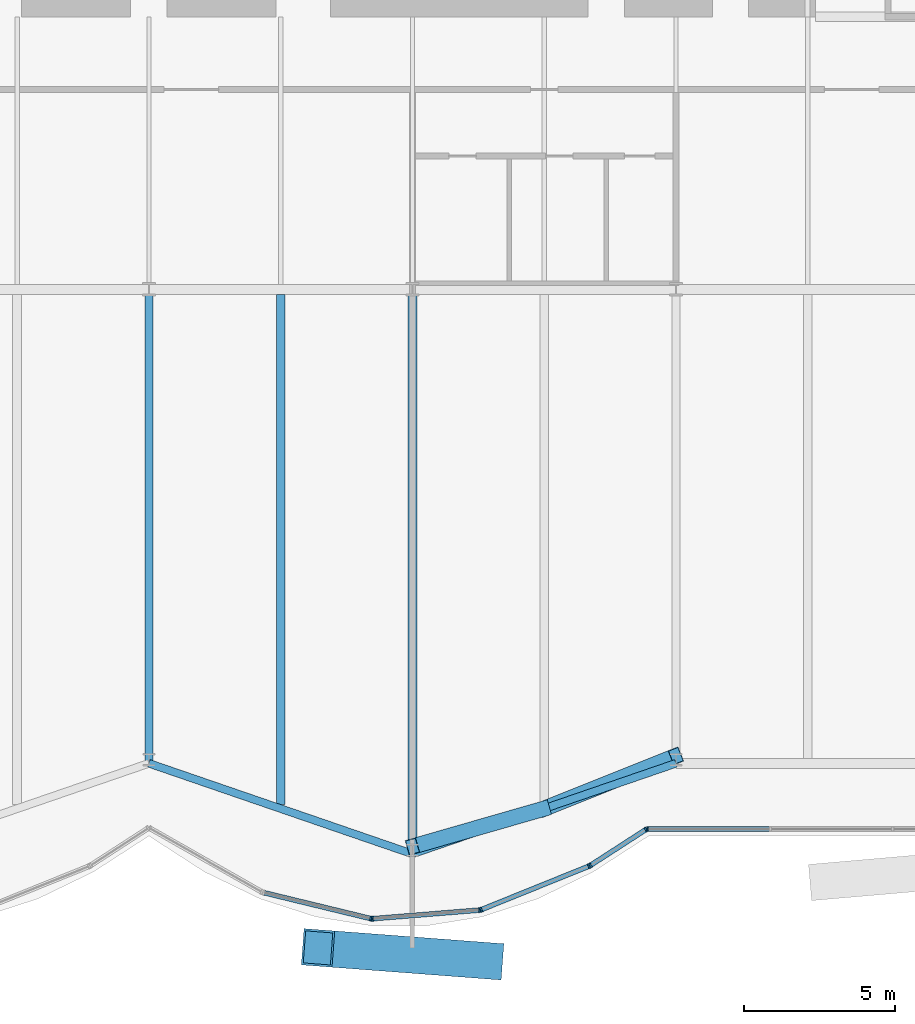
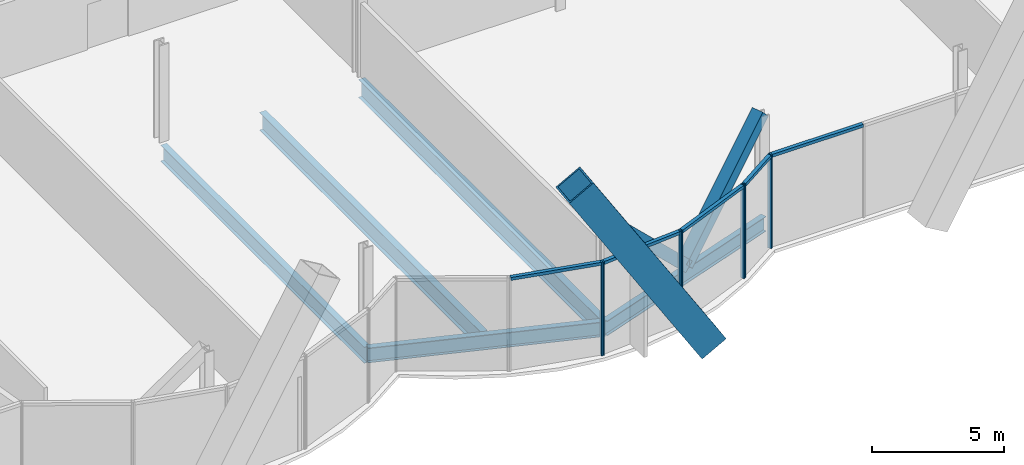
# One storey, part 8 of 22: 16 members, 5 beams, 2 elements without a shape of their own.
"""IFC4 building model written with IfcOpenShell, lengths in metres."""

from ifc_helpers import new_model, si_unit, direction, frame, origin, origin_2d, place, context, subcontext, project, spatial, rectangle, hollow_rectangle, i_section, extrude, material, material_profile, profile_set, type_object, element, aggregate, save


model = new_model("IFC4")

# Units and contexts
model_context = context("Model", 3, precision=1e-05, world=origin(), true_north=direction((0.0, 1.0)))
body_context = subcontext(model_context, "Body", "Model", "MODEL_VIEW")
ifc_project = project(units=[si_unit("LENGTHUNIT", "METRE"), si_unit("AREAUNIT", "SQUARE_METRE"), si_unit("VOLUMEUNIT", "CUBIC_METRE"), si_unit("PLANEANGLEUNIT", "RADIAN"), si_unit("MASSUNIT", "GRAM", prefix="KILO")], contexts=[model_context])

# Site, building, storey
site_placement = place(None, origin())
site = spatial("IfcSite", under=ifc_project, at=site_placement, CompositionType="ELEMENT")
building_placement = place(site_placement, origin())
building = spatial("IfcBuilding", under=site, at=building_placement, Name="Bicima Exchange Tower", CompositionType="ELEMENT")
storey_placement = place(building_placement, frame((0.0, 0.0, 71.0)))
storey = spatial("IfcBuildingStorey", under=building, at=storey_placement, Name="L14", CompositionType="ELEMENT", Elevation=71.0)

# Member
ifc_material_1 = material(Name="Steel ASTM A572 Gr 50", Category="steel")
ifc_material_profile_1 = material_profile(ifc_material_1, hollow_rectangle(XDim=1.199951171875, YDim=1.199951171875, WallThickness=0.070068359375, at=origin_2d()))
ifc_profile_set_1 = profile_set([ifc_material_profile_1], Name="Steel ASTM A572 Gr 50")
member_type_1 = type_object("IfcMemberType", Name="Exo mega brace BOX 1200x1200x70", PredefinedType="BRACE", material=ifc_profile_set_1)
member_1_placement = place(storey_placement, frame((11.166748046875, -44.164794921875, 0.14990234375), z_axis=(-0.529937371466, 0.040087085817, 0.847088783939), x_axis=(-0.075429447935, -0.997151141194, 0.0)))
element("IfcMember", 1, at=member_1_placement, inside=storey, type_object=member_type_1, Name="Exo mega brace front", PredefinedType="BRACE", context=body_context, shape_type="SweptSolid", body=[
    extrude(hollow_rectangle(XDim=1.199951171875, YDim=1.199951171875, WallThickness=0.070068359375, at=origin_2d()), origin(), (0.0, 0.0, 1.0), 10.5361328125),
])

# Beams
ifc_material_2 = material(Name="Steel ASTM A992 Gr 50", Category="steel")
ifc_material_profile_2 = material_profile(ifc_material_2, i_section(OverallWidth=0.2666015625, OverallDepth=0.75439453125, WebThickness=0.01318359375, FlangeThickness=0.01708984375, at=origin_2d()))
ifc_profile_set_2 = profile_set([ifc_material_profile_2], Name="Steel ASTM A992 Gr 50")
beam_type_1 = type_object("IfcBeamType", Name="Floor beam W30x99", PredefinedType="JOIST", material=ifc_profile_set_2)
beam_1_placement = place(storey_placement, frame((0.0, -22.16259765625, -0.527099609375), z_axis=(0.0, -1.0, 0.0), x_axis=(1.0, 0.0, 0.0)))
element("IfcBeam", 2, at=beam_1_placement, inside=storey, type_object=beam_type_1, Name="Floor beam", PredefinedType="JOIST", context=body_context, shape_type="SweptSolid", body=[
    extrude(i_section(OverallWidth=0.2666015625, OverallDepth=0.75439453125, WebThickness=0.01318359375, FlangeThickness=0.01708984375, at=origin_2d()), origin(), (0.0, 0.0, 1.0), 15.4853515625),
])
ifc_material_profile_3 = material_profile(ifc_material_2, i_section(OverallWidth=0.2919921875, OverallDepth=0.835693359375, WebThickness=0.013916015625, FlangeThickness=0.018798828125, at=origin_2d()))
ifc_profile_set_3 = profile_set([ifc_material_profile_3], Name="Steel ASTM A992 Gr 50")
beam_type_2 = type_object("IfcBeamType", Name="Floor beam W33x118", PredefinedType="JOIST", material=ifc_profile_set_3)
beam_2_placement = place(storey_placement, frame((4.35009765625, -22.16259765625, -0.56787109375), z_axis=(0.0, -1.0, 0.0), x_axis=(1.0, 0.0, 0.0)))
element("IfcBeam", 3, at=beam_2_placement, inside=storey, type_object=beam_type_2, Name="Floor beam", PredefinedType="JOIST", context=body_context, shape_type="SweptSolid", body=[
    extrude(i_section(OverallWidth=0.2919921875, OverallDepth=0.835693359375, WebThickness=0.013916015625, FlangeThickness=0.018798828125, at=origin_2d()), origin(), (0.0, 0.0, 1.0), 16.84521484375),
])
beam_3_placement = place(storey_placement, frame((8.699951171875, -22.16259765625, -0.56787109375), z_axis=(0.0, -1.0, 0.0), x_axis=(1.0, 0.0, 0.0)))
element("IfcBeam", 4, at=beam_3_placement, inside=storey, type_object=beam_type_2, Name="Floor beam", PredefinedType="JOIST", context=body_context, shape_type="SweptSolid", body=[
    extrude(i_section(OverallWidth=0.2919921875, OverallDepth=0.835693359375, WebThickness=0.013916015625, FlangeThickness=0.018798828125, at=origin_2d()), origin(), (0.0, 0.0, 1.0), 18.3408203125),
])
ifc_material_profile_4 = material_profile(ifc_material_2, i_section(OverallWidth=0.256591796875, OverallDepth=0.693359375, WebThickness=0.014404296875, FlangeThickness=0.023681640625, at=origin_2d()))
ifc_profile_set_4 = profile_set([ifc_material_profile_4], Name="Steel ASTM A992 Gr 50")
beam_type_3 = type_object("IfcBeamType", Name="Front girder W27x114", PredefinedType="BEAM", material=ifc_profile_set_4)
for number, where, z_axis, x_axis, name in (
    (5, (0.0, -37.64794921875, -0.49658203125), (0.945666456746, -0.325138359143, 0.0), (0.325138359143, 0.945666456746, 0.0), "Front girder"),
    (6, (8.699951171875, -40.63916015625, -0.49658203125), (0.945666456746, 0.325138359143, 0.0), (-0.325138359143, 0.945666456746, 0.0), "Front girder"),
):
    element("IfcBeam", number, at=place(storey_placement, frame(where, z_axis=z_axis, x_axis=x_axis)), inside=storey, type_object=beam_type_3, Name=name, PredefinedType="BEAM", context=body_context, shape_type="SweptSolid", body=[
        extrude(i_section(OverallWidth=0.256591796875, OverallDepth=0.693359375, WebThickness=0.014404296875, FlangeThickness=0.023681640625, at=origin_2d()), origin(), (0.0, 0.0, 1.0), 9.19970703125),
    ])

# Curtain wall, members
ifc_material_3 = material(Name="Anodised bronze aluminium", Category="aluminium")
curtain_wall_type = type_object("IfcCurtainWallType", Name="Front glass wall", PredefinedType="NOTDEFINED", material=ifc_material_3)
curtain_wall_1_placement = place(storey_placement, origin())
curtain_wall_1 = element("IfcCurtainWall", 7, at=curtain_wall_1_placement, inside=storey, type_object=curtain_wall_type, Name="Front glass wall L14 run 11", PredefinedType="NOTDEFINED")
ifc_material_profile_5 = material_profile(ifc_material_3, rectangle(XDim=0.159912109375, YDim=0.06005859375, at=origin_2d()))
ifc_profile_set_5 = profile_set([ifc_material_profile_5], Name="Anodised bronze aluminium")
member_type_2 = type_object("IfcMemberType", Name="Front glass wall mullion 60 x 160", PredefinedType="MULLION", material=ifc_profile_set_5)
member_2_placement = place(storey_placement, frame((7.322509765625, -42.77392578125, 0.0), z_axis=(0.0, 0.0, 1.0), x_axis=(0.235681529503, 0.971830343553, 0.0)))
member_2 = element("IfcMember", 8, at=member_2_placement, type_object=member_type_2, Name="Front glass wall mullion 2", PredefinedType="MULLION", context=body_context, shape_type="SweptSolid", body=[
    extrude(rectangle(XDim=0.159912109375, YDim=0.06005859375, at=origin_2d()), origin(), (0.0, 0.0, 1.0), 4.35009765625),
])
member_3_placement = place(storey_placement, frame((7.381591796875, -42.778564453125, 0.0), z_axis=(0.0, 0.0, 1.0), x_axis=(-0.080588612633, 0.99674744821, 0.0)))
member_3 = element("IfcMember", 9, at=member_3_placement, type_object=member_type_2, Name="Front glass wall mullion 1", PredefinedType="MULLION", context=body_context, shape_type="SweptSolid", body=[
    extrude(rectangle(XDim=0.159912109375, YDim=0.06005859375, at=origin_2d()), origin(), (0.0, 0.0, 1.0), 4.35009765625),
])
member_4_placement = place(storey_placement, frame((10.916015625, -42.492919921875, 0.0), z_axis=(0.0, 0.0, 1.0), x_axis=(-0.080588612633, 0.99674744821, 0.0)))
member_4 = element("IfcMember", 10, at=member_4_placement, type_object=member_type_2, Name="Front glass wall mullion 2", PredefinedType="MULLION", context=body_context, shape_type="SweptSolid", body=[
    extrude(rectangle(XDim=0.159912109375, YDim=0.06005859375, at=origin_2d()), origin(), (0.0, 0.0, 1.0), 4.35009765625),
])
member_5_placement = place(storey_placement, frame((10.973876953125, -42.479248046875, 0.0), z_axis=(0.0, 0.0, 1.0), x_axis=(-0.374705304, 0.92714396679, 0.0)))
member_5 = element("IfcMember", 11, at=member_5_placement, type_object=member_type_2, Name="Front glass wall mullion 1", PredefinedType="MULLION", context=body_context, shape_type="SweptSolid", body=[
    extrude(rectangle(XDim=0.159912109375, YDim=0.06005859375, at=origin_2d()), origin(), (0.0, 0.0, 1.0), 4.35009765625),
])
member_6_placement = place(storey_placement, frame((14.52587890625, -41.043701171875, 0.0), z_axis=(0.0, 0.0, 1.0), x_axis=(-0.374705304, 0.92714396679, 0.0)))
member_6 = element("IfcMember", 12, at=member_6_placement, type_object=member_type_2, Name="Front glass wall mullion 2", PredefinedType="MULLION", context=body_context, shape_type="SweptSolid", body=[
    extrude(rectangle(XDim=0.159912109375, YDim=0.06005859375, at=origin_2d()), origin(), (0.0, 0.0, 1.0), 4.35009765625),
])
member_7_placement = place(storey_placement, frame((14.578857421875, -41.01611328125, 0.0), z_axis=(0.0, 0.0, 1.0), x_axis=(-0.542909183079, 0.839791413941, 0.0)))
member_7 = element("IfcMember", 13, at=member_7_placement, type_object=member_type_2, Name="Front glass wall mullion 1", PredefinedType="MULLION", context=body_context, shape_type="SweptSolid", body=[
    extrude(rectangle(XDim=0.159912109375, YDim=0.06005859375, at=origin_2d()), origin(), (0.0, 0.0, 1.0), 4.35009765625),
])
member_8_placement = place(storey_placement, frame((16.406982421875, -39.834228515625, 0.0), z_axis=(0.0, 0.0, 1.0), x_axis=(-0.542909183079, 0.839791413941, 0.0)))
member_8 = element("IfcMember", 14, at=member_8_placement, type_object=member_type_2, Name="Front glass wall mullion 2", PredefinedType="MULLION", context=body_context, shape_type="SweptSolid", body=[
    extrude(rectangle(XDim=0.159912109375, YDim=0.06005859375, at=origin_2d()), origin(), (0.0, 0.0, 1.0), 4.35009765625),
])

# Curtain wall, member
curtain_wall_2_placement = place(storey_placement, origin())
curtain_wall_2 = element("IfcCurtainWall", 15, at=curtain_wall_2_placement, inside=storey, type_object=curtain_wall_type, Name="Front glass wall L14 run 16", PredefinedType="NOTDEFINED")
member_9_placement = place(storey_placement, frame((16.462158203125, -39.818115234375, 0.0), z_axis=(0.0, 0.0, 1.0), x_axis=(0.0, 1.0, 0.0)))
member_9 = element("IfcMember", 16, at=member_9_placement, type_object=member_type_2, Name="Front glass wall mullion 1", PredefinedType="MULLION", context=body_context, shape_type="SweptSolid", body=[
    extrude(rectangle(XDim=0.159912109375, YDim=0.06005859375, at=origin_2d()), origin(), (0.0, 0.0, 1.0), 4.35009765625),
])

# Member
ifc_material_profile_6 = material_profile(ifc_material_3, rectangle(XDim=0.159912109375, YDim=0.139892578125, at=origin_2d()))
ifc_profile_set_6 = profile_set([ifc_material_profile_6], Name="Anodised bronze aluminium")
member_type_3 = type_object("IfcMemberType", Name="Front glass wall transom 140 x 160", PredefinedType="USERDEFINED", material=ifc_profile_set_6)
member_10_placement = place(storey_placement, frame((3.81103515625, -41.92236328125, 4.280029296875), z_axis=(0.971833557815, -0.235668275132, 0.0), x_axis=(0.235668275132, 0.971833557815, 0.0)))
member_10 = element("IfcMember", 17, at=member_10_placement, type_object=member_type_3, Name="Front glass wall transom 1.1", ObjectType="TRANSOM", PredefinedType="USERDEFINED", context=body_context, shape_type="SweptSolid", body=[
    extrude(rectangle(XDim=0.159912109375, YDim=0.139892578125, at=origin_2d()), origin(), (0.0, 0.0, 1.0), 3.583251953125),
])

member_11_placement = place(storey_placement, frame((7.41162109375, -42.776123046875, 4.280029296875), z_axis=(0.9967456465, 0.080610893699, 0.0), x_axis=(-0.080610893699, 0.9967456465, 0.0)))
member_11 = element("IfcMember", 18, at=member_11_placement, type_object=member_type_3, Name="Front glass wall transom 1.1", ObjectType="TRANSOM", PredefinedType="USERDEFINED", context=body_context, shape_type="SweptSolid", body=[
    extrude(rectangle(XDim=0.159912109375, YDim=0.139892578125, at=origin_2d()), origin(), (0.0, 0.0, 1.0), 3.48583984375),
])

member_12_placement = place(storey_placement, frame((11.001708984375, -42.468017578125, 4.280029296875), z_axis=(0.927117723275, 0.374770232528, 0.0), x_axis=(-0.374770232528, 0.927117723275, 0.0)))
member_12 = element("IfcMember", 19, at=member_12_placement, type_object=member_type_3, Name="Front glass wall transom 1.1", ObjectType="TRANSOM", PredefinedType="USERDEFINED", context=body_context, shape_type="SweptSolid", body=[
    extrude(rectangle(XDim=0.159912109375, YDim=0.139892578125, at=origin_2d()), origin(), (0.0, 0.0, 1.0), 3.771240234375),
])

member_13_placement = place(storey_placement, frame((14.60400390625, -40.999755859375, 4.280029296875), z_axis=(0.839792890287, 0.542906899407, 0.0), x_axis=(-0.542906899407, 0.839792890287, 0.0)))
member_13 = element("IfcMember", 20, at=member_13_placement, type_object=member_type_3, Name="Front glass wall transom 1.1", ObjectType="TRANSOM", PredefinedType="USERDEFINED", context=body_context, shape_type="SweptSolid", body=[
    extrude(rectangle(XDim=0.159912109375, YDim=0.139892578125, at=origin_2d()), origin(), (0.0, 0.0, 1.0), 2.11669921875),
])

aggregate(curtain_wall_1, [member_2, member_10, member_3, member_4, member_11, member_5, member_6, member_12, member_7, member_8, member_13])

member_14_placement = place(storey_placement, frame((16.4921875, -39.818115234375, 4.280029296875), z_axis=(1.0, 0.0, 0.0), x_axis=(0.0, 1.0, 0.0)))
member_14 = element("IfcMember", 21, at=member_14_placement, type_object=member_type_3, Name="Front glass wall transom 1.1", ObjectType="TRANSOM", PredefinedType="USERDEFINED", context=body_context, shape_type="SweptSolid", body=[
    extrude(rectangle(XDim=0.159912109375, YDim=0.139892578125, at=origin_2d()), origin(), (0.0, 0.0, 1.0), 3.989501953125),
])

aggregate(curtain_wall_2, [member_9, member_14])

# Members
ifc_material_profile_7 = material_profile(ifc_material_1, hollow_rectangle(XDim=0.508056640625, YDim=0.508056640625, WallThickness=0.017822265625, at=origin_2d()))
ifc_profile_set_7 = profile_set([ifc_material_profile_7], Name="Steel ASTM A572 Gr 50")
member_type_4 = type_object("IfcMemberType", Name="Mega brace HSS20x20x3/4", PredefinedType="BRACE", material=ifc_profile_set_7)
member_15_placement = place(storey_placement, frame((13.050048828125, -39.1435546875, 0.0), z_axis=(0.669627633412, 0.267783402821, 0.692741569234), x_axis=(-0.371309808925, 0.928509033772, 0.0)))
element("IfcMember", 22, at=member_15_placement, inside=storey, type_object=member_type_4, Name="Mega brace front", PredefinedType="BRACE", context=body_context, shape_type="SweptSolid", body=[
    extrude(hollow_rectangle(XDim=0.508056640625, YDim=0.508056640625, WallThickness=0.017822265625, at=origin_2d()), origin(), (0.0, 0.0, 1.0), 6.495849609375),
])
member_16_placement = place(storey_placement, frame((13.050048828125, -39.1435546875, 0.0), z_axis=(-0.681539584879, -0.196069812105, 0.705025122264), x_axis=(0.276473064615, -0.961021667052, 0.0)))
element("IfcMember", 23, at=member_16_placement, inside=storey, type_object=member_type_4, Name="Mega brace front", PredefinedType="BRACE", context=body_context, shape_type="SweptSolid", body=[
    extrude(hollow_rectangle(XDim=0.508056640625, YDim=0.508056640625, WallThickness=0.017822265625, at=origin_2d()), origin(), (0.0, 0.0, 1.0), 6.3828125),
])

save(model, "model.ifc")
